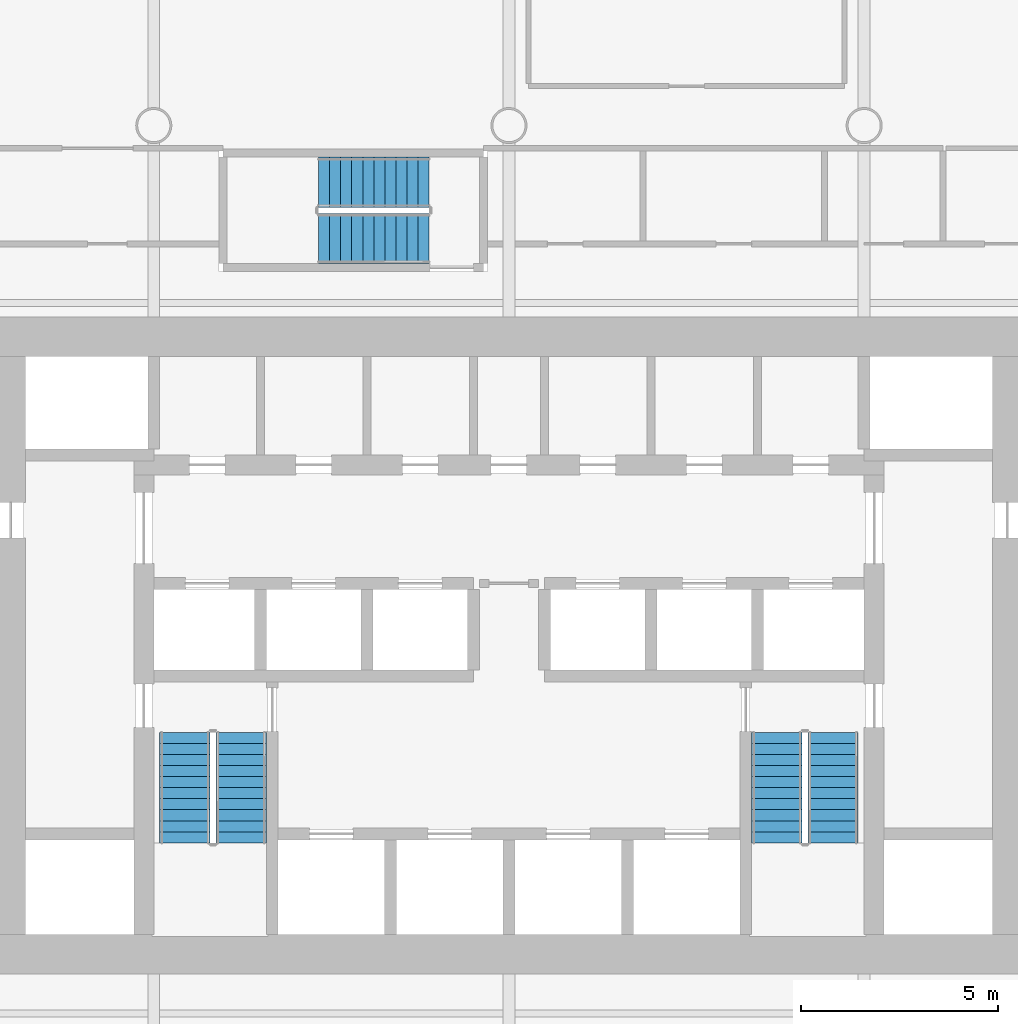
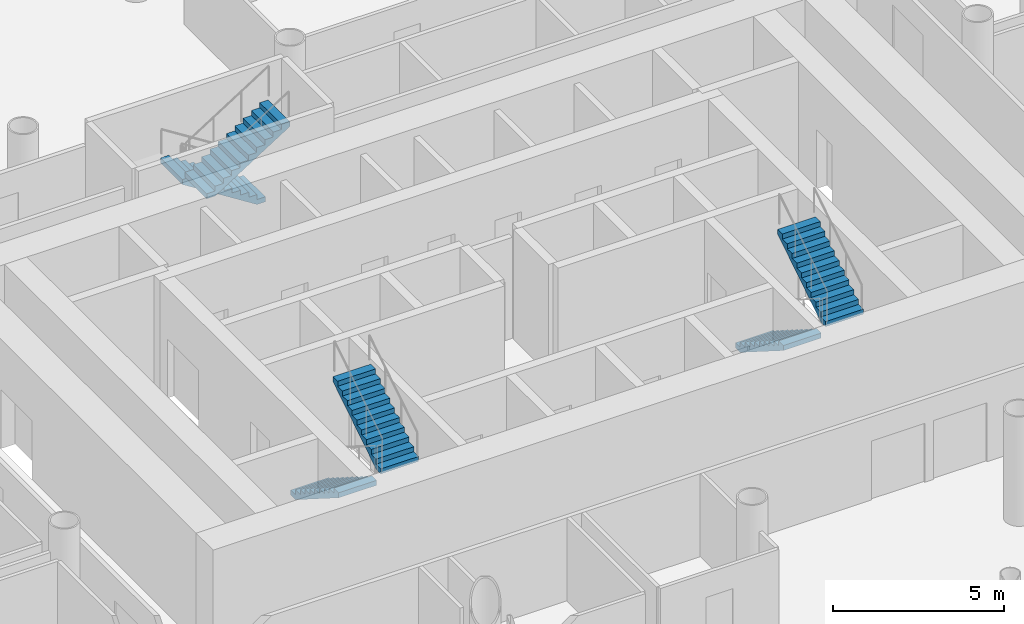
# One storey, part 16 of 21: 6 stair flights, 3 elements without a shape of their own.
"""IFC4 building model written with IfcOpenShell, lengths in metres."""

from ifc_helpers import new_model, si_unit, direction, frame, origin, place, context, subcontext, project, spatial, polyline, outline, extrude, material, type_object, element, aggregate, save


model = new_model("IFC4")

# Units and contexts
model_context = context("Model", 3, precision=1e-05, world=origin(), true_north=direction((0.0, 1.0)))
body_context = subcontext(model_context, "Body", "Model", "MODEL_VIEW")
ifc_project = project(units=[si_unit("LENGTHUNIT", "METRE"), si_unit("AREAUNIT", "SQUARE_METRE"), si_unit("VOLUMEUNIT", "CUBIC_METRE"), si_unit("PLANEANGLEUNIT", "RADIAN"), si_unit("MASSUNIT", "GRAM", prefix="KILO")], contexts=[model_context])

# Site, building, storey
site_placement = place(None, origin())
site = spatial("IfcSite", under=ifc_project, at=site_placement, CompositionType="ELEMENT")
building_placement = place(site_placement, origin())
building = spatial("IfcBuilding", under=site, at=building_placement, Name="Tskaro Facet Tower", CompositionType="ELEMENT")
storey_placement = place(building_placement, frame((0.0, 0.0, 45.89990234375)))
storey = spatial("IfcBuildingStorey", under=building, at=storey_placement, Name="L10", CompositionType="ELEMENT", Elevation=45.89990234375)

# Stair, stair flights
ifc_material = material(Name="Concrete C40/50", Category="concrete")
stair_type = type_object("IfcStairType", Name="ST-TWR", PredefinedType="HALF_TURN_STAIR", material=ifc_material)
stair_1_placement = place(storey_placement, origin())
stair_1 = element("IfcStair", 1, at=stair_1_placement, inside=storey, type_object=stair_type, Name="L10 Exit stair 1", PredefinedType="HALF_TURN_STAIR")
stair_flight_type = type_object("IfcStairFlightType", Name="SFL-RC", PredefinedType="STRAIGHT", material=ifc_material)
stair_flight_1_placement = place(storey_placement, frame((-8.21240234375, -6.375, 0.0), z_axis=(0.0, 0.0, 1.0), x_axis=(0.0, -1.0, 0.0)))
stair_flight_1 = element("IfcStairFlight", 2, at=stair_flight_1_placement, type_object=stair_flight_type, Name="ST-1 flight 1", NumberOfRisers=11, NumberOfTreads=10, PredefinedType="STRAIGHT", RiserHeight=0.177272727, TreadLength=0.28, context=body_context, shape_type="SweptSolid", body=[
    extrude(outline(polyline([(0.0, 0.0), (0.0, 0.17724609375), (0.280029296875, 0.17724609375), (0.280029296875, 0.3544921875), (0.56005859375, 0.3544921875), (0.56005859375, 0.53173828125), (0.840087890625, 0.53173828125), (0.840087890625, 0.708984375), (1.1201171875, 0.708984375), (1.1201171875, 0.886474609375), (1.39990234375, 0.886474609375), (1.39990234375, 1.063720703125), (1.679931640625, 1.063720703125), (1.679931640625, 1.240966796875), (1.9599609375, 1.240966796875), (1.9599609375, 1.418212890625), (2.239990234375, 1.418212890625), (2.239990234375, 1.595458984375), (2.52001953125, 1.595458984375), (2.52001953125, 1.772705078125), (2.800048828125, 1.772705078125), (2.800048828125, 1.949951171875), (2.800048828125, 1.59521484375), (0.2802734375, 0.0), (0.0, 0.0)])), frame((0.0, 0.637451171875, 0.0), z_axis=(0.0, -1.0, 0.0), x_axis=(1.0, 0.0, 0.0)), (0.0, 0.0, 1.0), 1.27490234375),
])
stair_flight_2_placement = place(storey_placement, frame((-6.78759765625, -9.175048828125, 1.9501953125), z_axis=(0.0, 0.0, 1.0), x_axis=(0.0, 1.0, 0.0)))
stair_flight_2 = element("IfcStairFlight", 3, at=stair_flight_2_placement, type_object=stair_flight_type, Name="ST-1 flight 2", NumberOfRisers=11, NumberOfTreads=10, PredefinedType="STRAIGHT", RiserHeight=0.177272727, TreadLength=0.28, context=body_context, shape_type="SweptSolid", body=[
    extrude(outline(polyline([(0.0, 0.0), (0.0, 0.17724609375), (0.280029296875, 0.17724609375), (0.280029296875, 0.3544921875), (0.56005859375, 0.3544921875), (0.56005859375, 0.53173828125), (0.840087890625, 0.53173828125), (0.840087890625, 0.708984375), (1.1201171875, 0.708984375), (1.1201171875, 0.886474609375), (1.39990234375, 0.886474609375), (1.39990234375, 1.063720703125), (1.679931640625, 1.063720703125), (1.679931640625, 1.240966796875), (1.9599609375, 1.240966796875), (1.9599609375, 1.418212890625), (2.239990234375, 1.418212890625), (2.239990234375, 1.595458984375), (2.52001953125, 1.595458984375), (2.52001953125, 1.772705078125), (2.800048828125, 1.772705078125), (2.800048828125, 1.949951171875), (2.800048828125, 1.59521484375), (0.2802734375, 0.0), (0.0, 0.0)])), frame((0.0, 0.637451171875, 0.0), z_axis=(0.0, -1.0, 0.0), x_axis=(1.0, 0.0, 0.0)), (0.0, 0.0, 1.0), 1.27490234375),
])
aggregate(stair_1, [stair_flight_1, stair_flight_2])

stair_2_placement = place(storey_placement, origin())
stair_2 = element("IfcStair", 4, at=stair_2_placement, inside=storey, type_object=stair_type, Name="L10 Exit stair 2", PredefinedType="HALF_TURN_STAIR")
stair_flight_3_placement = place(storey_placement, frame((6.78759765625, -6.375, 0.0), z_axis=(0.0, 0.0, 1.0), x_axis=(0.0, -1.0, 0.0)))
stair_flight_3 = element("IfcStairFlight", 5, at=stair_flight_3_placement, type_object=stair_flight_type, Name="ST-2 flight 1", NumberOfRisers=11, NumberOfTreads=10, PredefinedType="STRAIGHT", RiserHeight=0.177272727, TreadLength=0.28, context=body_context, shape_type="SweptSolid", body=[
    extrude(outline(polyline([(0.0, 0.0), (0.0, 0.17724609375), (0.280029296875, 0.17724609375), (0.280029296875, 0.3544921875), (0.56005859375, 0.3544921875), (0.56005859375, 0.53173828125), (0.840087890625, 0.53173828125), (0.840087890625, 0.708984375), (1.1201171875, 0.708984375), (1.1201171875, 0.886474609375), (1.39990234375, 0.886474609375), (1.39990234375, 1.063720703125), (1.679931640625, 1.063720703125), (1.679931640625, 1.240966796875), (1.9599609375, 1.240966796875), (1.9599609375, 1.418212890625), (2.239990234375, 1.418212890625), (2.239990234375, 1.595458984375), (2.52001953125, 1.595458984375), (2.52001953125, 1.772705078125), (2.800048828125, 1.772705078125), (2.800048828125, 1.949951171875), (2.800048828125, 1.59521484375), (0.2802734375, 0.0), (0.0, 0.0)])), frame((0.0, 0.637451171875, 0.0), z_axis=(0.0, -1.0, 0.0), x_axis=(1.0, 0.0, 0.0)), (0.0, 0.0, 1.0), 1.27490234375),
])
stair_flight_4_placement = place(storey_placement, frame((8.21240234375, -9.175048828125, 1.9501953125), z_axis=(0.0, 0.0, 1.0), x_axis=(0.0, 1.0, 0.0)))
stair_flight_4 = element("IfcStairFlight", 6, at=stair_flight_4_placement, type_object=stair_flight_type, Name="ST-2 flight 2", NumberOfRisers=11, NumberOfTreads=10, PredefinedType="STRAIGHT", RiserHeight=0.177272727, TreadLength=0.28, context=body_context, shape_type="SweptSolid", body=[
    extrude(outline(polyline([(0.0, 0.0), (0.0, 0.17724609375), (0.280029296875, 0.17724609375), (0.280029296875, 0.3544921875), (0.56005859375, 0.3544921875), (0.56005859375, 0.53173828125), (0.840087890625, 0.53173828125), (0.840087890625, 0.708984375), (1.1201171875, 0.708984375), (1.1201171875, 0.886474609375), (1.39990234375, 0.886474609375), (1.39990234375, 1.063720703125), (1.679931640625, 1.063720703125), (1.679931640625, 1.240966796875), (1.9599609375, 1.240966796875), (1.9599609375, 1.418212890625), (2.239990234375, 1.418212890625), (2.239990234375, 1.595458984375), (2.52001953125, 1.595458984375), (2.52001953125, 1.772705078125), (2.800048828125, 1.772705078125), (2.800048828125, 1.949951171875), (2.800048828125, 1.59521484375), (0.2802734375, 0.0), (0.0, 0.0)])), frame((0.0, 0.637451171875, 0.0), z_axis=(0.0, -1.0, 0.0), x_axis=(1.0, 0.0, 0.0)), (0.0, 0.0, 1.0), 1.27490234375),
])
aggregate(stair_2, [stair_flight_3, stair_flight_4])

stair_3_placement = place(storey_placement, origin())
stair_3 = element("IfcStair", 7, at=stair_3_placement, inside=storey, type_object=stair_type, Name="L10 Exit stair 3", PredefinedType="HALF_TURN_STAIR")
stair_flight_5_placement = place(storey_placement, frame((-2.02490234375, 7.5625, 0.0), z_axis=(0.0, 0.0, 1.0), x_axis=(-1.0, 0.0, 0.0)))
stair_flight_5 = element("IfcStairFlight", 8, at=stair_flight_5_placement, type_object=stair_flight_type, Name="ST-3 flight 1", NumberOfRisers=11, NumberOfTreads=10, PredefinedType="STRAIGHT", RiserHeight=0.177272727, TreadLength=0.28, context=body_context, shape_type="SweptSolid", body=[
    extrude(outline(polyline([(0.0, 0.0), (0.0, 0.17724609375), (0.280029296875, 0.17724609375), (0.280029296875, 0.3544921875), (0.56005859375, 0.3544921875), (0.56005859375, 0.53173828125), (0.840087890625, 0.53173828125), (0.840087890625, 0.708984375), (1.1201171875, 0.708984375), (1.1201171875, 0.886474609375), (1.39990234375, 0.886474609375), (1.39990234375, 1.063720703125), (1.679931640625, 1.063720703125), (1.679931640625, 1.240966796875), (1.9599609375, 1.240966796875), (1.9599609375, 1.418212890625), (2.239990234375, 1.418212890625), (2.239990234375, 1.595458984375), (2.52001953125, 1.595458984375), (2.52001953125, 1.772705078125), (2.800048828125, 1.772705078125), (2.800048828125, 1.949951171875), (2.800048828125, 1.59521484375), (0.2802734375, 0.0), (0.0, 0.0)])), frame((0.0, 0.637451171875, 0.0), z_axis=(0.0, -1.0, 0.0), x_axis=(1.0, 0.0, 0.0)), (0.0, 0.0, 1.0), 1.27490234375),
])
stair_flight_6_placement = place(storey_placement, frame((-4.824951171875, 6.137451171875, 1.9501953125), z_axis=(0.0, 0.0, 1.0), x_axis=(1.0, 0.0, 0.0)))
stair_flight_6 = element("IfcStairFlight", 9, at=stair_flight_6_placement, type_object=stair_flight_type, Name="ST-3 flight 2", NumberOfRisers=11, NumberOfTreads=10, PredefinedType="STRAIGHT", RiserHeight=0.177272727, TreadLength=0.28, context=body_context, shape_type="SweptSolid", body=[
    extrude(outline(polyline([(0.0, 0.0), (0.0, 0.17724609375), (0.280029296875, 0.17724609375), (0.280029296875, 0.3544921875), (0.56005859375, 0.3544921875), (0.56005859375, 0.53173828125), (0.840087890625, 0.53173828125), (0.840087890625, 0.708984375), (1.1201171875, 0.708984375), (1.1201171875, 0.886474609375), (1.39990234375, 0.886474609375), (1.39990234375, 1.063720703125), (1.679931640625, 1.063720703125), (1.679931640625, 1.240966796875), (1.9599609375, 1.240966796875), (1.9599609375, 1.418212890625), (2.239990234375, 1.418212890625), (2.239990234375, 1.595458984375), (2.52001953125, 1.595458984375), (2.52001953125, 1.772705078125), (2.800048828125, 1.772705078125), (2.800048828125, 1.949951171875), (2.800048828125, 1.59521484375), (0.2802734375, 0.0), (0.0, 0.0)])), frame((0.0, 0.637451171875, 0.0), z_axis=(0.0, -1.0, 0.0), x_axis=(1.0, 0.0, 0.0)), (0.0, 0.0, 1.0), 1.27490234375),
])
aggregate(stair_3, [stair_flight_5, stair_flight_6])

save(model, "model.ifc")
